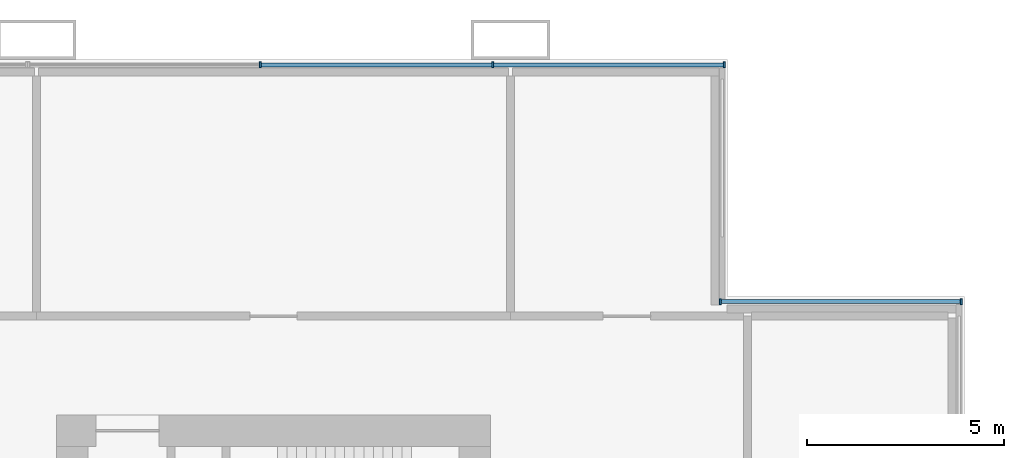
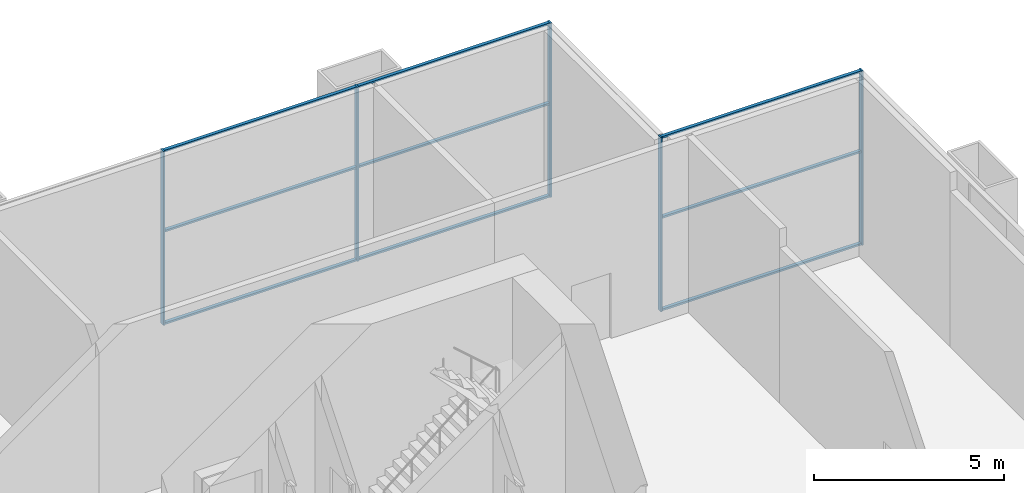
# One storey, part 17 of 27: 14 members, 2 elements without a shape of their own.
"""IFC4 building model written with IfcOpenShell, lengths in metres."""

from ifc_helpers import new_model, si_unit, direction, frame, origin, origin_2d, place, context, subcontext, project, spatial, rectangle, extrude, material, material_profile, profile_set, type_object, element, aggregate, save


model = new_model("IFC4")

# Units and contexts
model_context = context("Model", 3, precision=1e-05, world=origin(), true_north=direction((0.0, 1.0)))
body_context = subcontext(model_context, "Body", "Model", "MODEL_VIEW")
ifc_project = project(units=[si_unit("LENGTHUNIT", "METRE"), si_unit("AREAUNIT", "SQUARE_METRE"), si_unit("VOLUMEUNIT", "CUBIC_METRE"), si_unit("PLANEANGLEUNIT", "RADIAN"), si_unit("MASSUNIT", "GRAM", prefix="KILO")], contexts=[model_context])

# Site, building, storey
site_placement = place(None, origin())
site = spatial("IfcSite", under=ifc_project, at=site_placement, CompositionType="ELEMENT")
building_placement = place(site_placement, origin())
building = spatial("IfcBuilding", under=site, at=building_placement, Name="Kitamizu Gate Tower and Museum", CompositionType="ELEMENT")
storey_placement = place(building_placement, frame((0.0, 0.0, 24.0)))
storey = spatial("IfcBuildingStorey", under=building, at=storey_placement, Name="L04", CompositionType="ELEMENT", Elevation=24.0)

# Curtain wall, members
ifc_material_1 = material(Name="Bronze anodised aluminium frame, tinted triple glazing", Category="aluminium")
curtain_wall_type = type_object("IfcCurtainWallType", Name="CURTAIN WALL TYPE F TRANSFER STOREY", PredefinedType="NOTDEFINED", material=ifc_material_1)
curtain_wall_1_placement = place(storey_placement, origin())
curtain_wall_1 = element("IfcCurtainWall", 1, at=curtain_wall_1_placement, inside=storey, type_object=curtain_wall_type, Name="Curtain wall CW-F north L04", PredefinedType="NOTDEFINED")
ifc_material_2 = material(Name="Bronze anodised aluminium", Category="aluminium")
ifc_material_profile_1 = material_profile(ifc_material_2, rectangle(XDim=0.050048828125, YDim=0.14990234375, at=origin_2d()), Name="AL 50X150")
ifc_profile_set_1 = profile_set([ifc_material_profile_1], Name="Bronze anodised aluminium")
member_type_1 = type_object("IfcMemberType", Name="MULLION 50 X 150 TYPE F", PredefinedType="MULLION", material=ifc_profile_set_1)
member_1_placement = place(storey_placement, frame((65.31494140625, 41.364990234375, 0.0), z_axis=(0.0, 0.0, 1.0), x_axis=(1.0, 0.0, 0.0)))
member_1 = element("IfcMember", 2, at=member_1_placement, type_object=member_type_1, Name="CW-F mullion 1", PredefinedType="MULLION", context=body_context, shape_type="SweptSolid", body=[
    extrude(rectangle(XDim=0.050048828125, YDim=0.14990234375, at=origin_2d()), origin(), (0.0, 0.0, 1.0), 5.60009765625),
])
member_2_placement = place(storey_placement, frame((71.4150390625, 41.364990234375, 0.0), z_axis=(0.0, 0.0, 1.0), x_axis=(1.0, 0.0, 0.0)))
member_2 = element("IfcMember", 3, at=member_2_placement, type_object=member_type_1, Name="CW-F mullion 2", PredefinedType="MULLION", context=body_context, shape_type="SweptSolid", body=[
    extrude(rectangle(XDim=0.050048828125, YDim=0.14990234375, at=origin_2d()), origin(), (0.0, 0.0, 1.0), 5.60009765625),
])

curtain_wall_2_placement = place(storey_placement, origin())
curtain_wall_2 = element("IfcCurtainWall", 4, at=curtain_wall_2_placement, inside=storey, type_object=curtain_wall_type, Name="Curtain wall CW-F north L04 part 3", PredefinedType="NOTDEFINED")
member_3_placement = place(storey_placement, frame((53.6640625, 47.364990234375, 0.0), z_axis=(0.0, 0.0, 1.0), x_axis=(1.0, 0.0, 0.0)))
member_3 = element("IfcMember", 5, at=member_3_placement, type_object=member_type_1, Name="CW-F mullion 2", PredefinedType="MULLION", context=body_context, shape_type="SweptSolid", body=[
    extrude(rectangle(XDim=0.050048828125, YDim=0.14990234375, at=origin_2d()), origin(), (0.0, 0.0, 1.0), 5.60009765625),
])
member_4_placement = place(storey_placement, frame((59.552001953125, 47.364990234375, 0.0), z_axis=(0.0, 0.0, 1.0), x_axis=(1.0, 0.0, 0.0)))
member_4 = element("IfcMember", 6, at=member_4_placement, type_object=member_type_1, Name="CW-F mullion 3", PredefinedType="MULLION", context=body_context, shape_type="SweptSolid", body=[
    extrude(rectangle(XDim=0.050048828125, YDim=0.14990234375, at=origin_2d()), origin(), (0.0, 0.0, 1.0), 5.60009765625),
])
member_5_placement = place(storey_placement, frame((65.4150390625, 47.364990234375, 0.0), z_axis=(0.0, 0.0, 1.0), x_axis=(1.0, 0.0, 0.0)))
member_5 = element("IfcMember", 7, at=member_5_placement, type_object=member_type_1, Name="CW-F mullion 4", PredefinedType="MULLION", context=body_context, shape_type="SweptSolid", body=[
    extrude(rectangle(XDim=0.050048828125, YDim=0.14990234375, at=origin_2d()), origin(), (0.0, 0.0, 1.0), 5.60009765625),
])

# Member
ifc_material_3 = material(Name="Bronze anodised aluminium", Category="aluminium")
ifc_material_profile_2 = material_profile(ifc_material_3, rectangle(XDim=0.10009765625, YDim=0.06005859375, at=origin_2d()), Name="AL 60X100")
ifc_profile_set_2 = profile_set([ifc_material_profile_2], Name="Bronze anodised aluminium")
member_type_2 = type_object("IfcMemberType", Name="TRANSOM 60 X 100 TYPE F", PredefinedType="USERDEFINED", material=ifc_profile_set_2)
member_6_placement = place(storey_placement, frame((65.340087890625, 41.364990234375, 0.030029296875), z_axis=(1.0, 0.0, 0.0), x_axis=(0.0, 1.0, 0.0)))
member_6 = element("IfcMember", 8, at=member_6_placement, type_object=member_type_2, Name="CW-F transom 1.1", ObjectType="TRANSOM", PredefinedType="USERDEFINED", context=body_context, shape_type="SweptSolid", body=[
    extrude(rectangle(XDim=0.10009765625, YDim=0.06005859375, at=origin_2d()), origin(), (0.0, 0.0, 1.0), 6.0498046875),
])

member_7_placement = place(storey_placement, frame((65.340087890625, 41.364990234375, 3.0), z_axis=(1.0, 0.0, 0.0), x_axis=(0.0, 1.0, 0.0)))
member_7 = element("IfcMember", 9, at=member_7_placement, type_object=member_type_2, Name="CW-F transom 1.2", ObjectType="TRANSOM", PredefinedType="USERDEFINED", context=body_context, shape_type="SweptSolid", body=[
    extrude(rectangle(XDim=0.10009765625, YDim=0.06005859375, at=origin_2d()), origin(), (0.0, 0.0, 1.0), 6.0498046875),
])

member_8_placement = place(storey_placement, frame((65.340087890625, 41.364990234375, 5.570068359375), z_axis=(1.0, 0.0, 0.0), x_axis=(0.0, 1.0, 0.0)))
member_8 = element("IfcMember", 10, at=member_8_placement, type_object=member_type_2, Name="CW-F transom 1.3", ObjectType="TRANSOM", PredefinedType="USERDEFINED", context=body_context, shape_type="SweptSolid", body=[
    extrude(rectangle(XDim=0.10009765625, YDim=0.06005859375, at=origin_2d()), origin(), (0.0, 0.0, 1.0), 6.0498046875),
])

aggregate(curtain_wall_1, [member_1, member_2, member_6, member_7, member_8])

member_9_placement = place(storey_placement, frame((53.68896484375, 47.364990234375, 0.030029296875), z_axis=(1.0, 0.0, 0.0), x_axis=(0.0, 1.0, 0.0)))
member_9 = element("IfcMember", 11, at=member_9_placement, type_object=member_type_2, Name="CW-F transom 2.1", ObjectType="TRANSOM", PredefinedType="USERDEFINED", context=body_context, shape_type="SweptSolid", body=[
    extrude(rectangle(XDim=0.10009765625, YDim=0.06005859375, at=origin_2d()), origin(), (0.0, 0.0, 1.0), 5.838134765625),
])

member_10_placement = place(storey_placement, frame((53.68896484375, 47.364990234375, 3.0), z_axis=(1.0, 0.0, 0.0), x_axis=(0.0, 1.0, 0.0)))
member_10 = element("IfcMember", 12, at=member_10_placement, type_object=member_type_2, Name="CW-F transom 2.2", ObjectType="TRANSOM", PredefinedType="USERDEFINED", context=body_context, shape_type="SweptSolid", body=[
    extrude(rectangle(XDim=0.10009765625, YDim=0.06005859375, at=origin_2d()), origin(), (0.0, 0.0, 1.0), 5.838134765625),
])

member_11_placement = place(storey_placement, frame((53.68896484375, 47.364990234375, 5.570068359375), z_axis=(1.0, 0.0, 0.0), x_axis=(0.0, 1.0, 0.0)))
member_11 = element("IfcMember", 13, at=member_11_placement, type_object=member_type_2, Name="CW-F transom 2.3", ObjectType="TRANSOM", PredefinedType="USERDEFINED", context=body_context, shape_type="SweptSolid", body=[
    extrude(rectangle(XDim=0.10009765625, YDim=0.06005859375, at=origin_2d()), origin(), (0.0, 0.0, 1.0), 5.838134765625),
])

member_12_placement = place(storey_placement, frame((59.576904296875, 47.364990234375, 0.030029296875), z_axis=(1.0, 0.0, 0.0), x_axis=(0.0, 1.0, 0.0)))
member_12 = element("IfcMember", 14, at=member_12_placement, type_object=member_type_2, Name="CW-F transom 3.1", ObjectType="TRANSOM", PredefinedType="USERDEFINED", context=body_context, shape_type="SweptSolid", body=[
    extrude(rectangle(XDim=0.10009765625, YDim=0.06005859375, at=origin_2d()), origin(), (0.0, 0.0, 1.0), 5.81298828125),
])

member_13_placement = place(storey_placement, frame((59.576904296875, 47.364990234375, 3.0), z_axis=(1.0, 0.0, 0.0), x_axis=(0.0, 1.0, 0.0)))
member_13 = element("IfcMember", 15, at=member_13_placement, type_object=member_type_2, Name="CW-F transom 3.2", ObjectType="TRANSOM", PredefinedType="USERDEFINED", context=body_context, shape_type="SweptSolid", body=[
    extrude(rectangle(XDim=0.10009765625, YDim=0.06005859375, at=origin_2d()), origin(), (0.0, 0.0, 1.0), 5.81298828125),
])

member_14_placement = place(storey_placement, frame((59.576904296875, 47.364990234375, 5.570068359375), z_axis=(1.0, 0.0, 0.0), x_axis=(0.0, 1.0, 0.0)))
member_14 = element("IfcMember", 16, at=member_14_placement, type_object=member_type_2, Name="CW-F transom 3.3", ObjectType="TRANSOM", PredefinedType="USERDEFINED", context=body_context, shape_type="SweptSolid", body=[
    extrude(rectangle(XDim=0.10009765625, YDim=0.06005859375, at=origin_2d()), origin(), (0.0, 0.0, 1.0), 5.81298828125),
])

aggregate(curtain_wall_2, [member_3, member_4, member_5, member_9, member_10, member_11, member_12, member_13, member_14])

save(model, "model.ifc")
